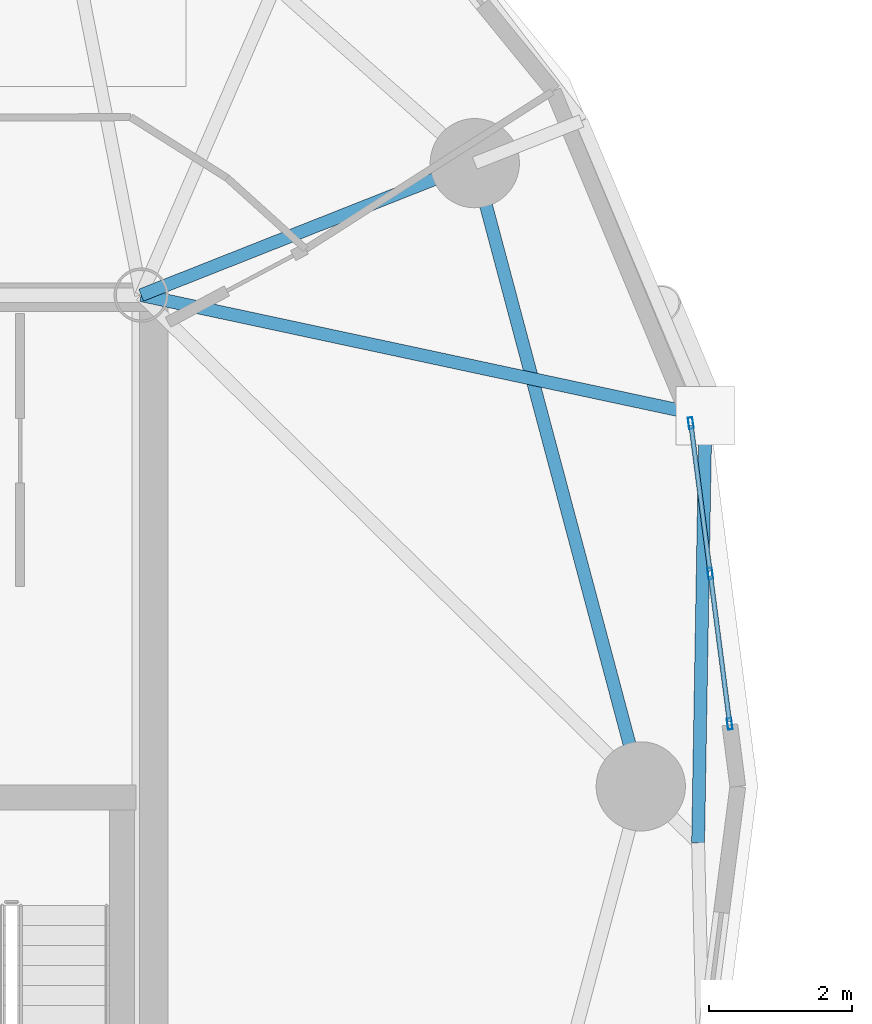
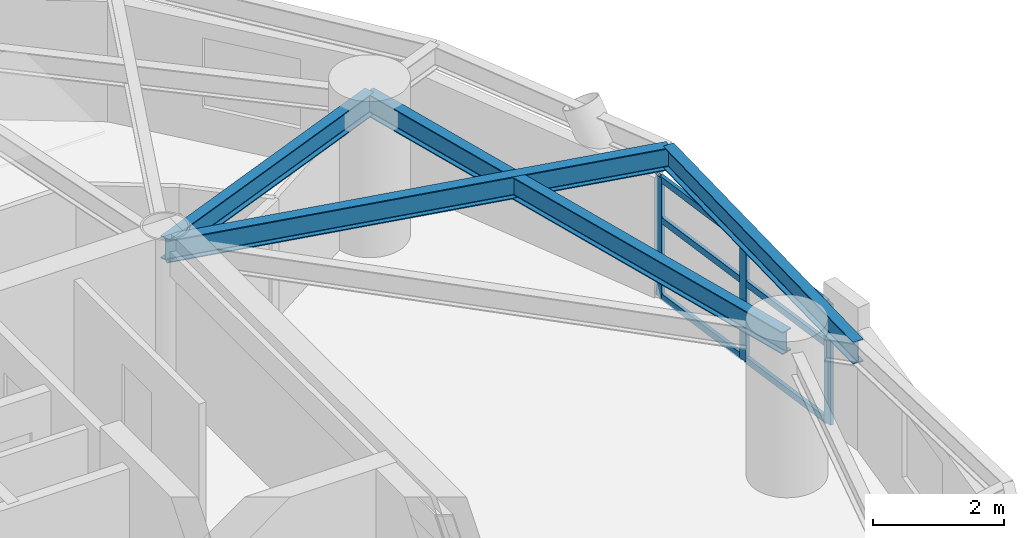
# One storey, part 3 of 17: 9 members, 4 beams, 1 element without a shape of its own.
"""IFC4 building model written with IfcOpenShell, lengths in metres."""

from ifc_helpers import new_model, si_unit, direction, frame, origin, origin_2d, place, context, subcontext, project, spatial, hollow_rectangle, i_section, extrude, material, layer, layer_set, material_profile, profile_set, type_object, element, aggregate, save


model = new_model("IFC4")

# Units and contexts
model_context = context("Model", 3, precision=1e-05, world=origin(), true_north=direction((0.0, 1.0)))
body_context = subcontext(model_context, "Body", "Model", "MODEL_VIEW")
ifc_project = project(units=[si_unit("LENGTHUNIT", "METRE"), si_unit("AREAUNIT", "SQUARE_METRE"), si_unit("VOLUMEUNIT", "CUBIC_METRE"), si_unit("PLANEANGLEUNIT", "RADIAN"), si_unit("MASSUNIT", "GRAM", prefix="KILO")], contexts=[model_context])

# Site, building, storey
site_placement = place(None, origin())
site = spatial("IfcSite", under=ifc_project, at=site_placement, CompositionType="ELEMENT")
building_placement = place(site_placement, origin())
building = spatial("IfcBuilding", under=site, at=building_placement, Name="Cununo Teusaquillo Station Towers", CompositionType="ELEMENT")
storey_placement = place(building_placement, frame((0.0, 0.0, 186.52001953125)))
storey = spatial("IfcBuildingStorey", under=building, at=storey_placement, Name="L59", CompositionType="ELEMENT", Elevation=186.52001953125)

# Beams
ifc_material_1 = material(Name="Steel ASTM A572 Grade 50", Category="steel")
ifc_material_profile_1 = material_profile(ifc_material_1, i_section(OverallWidth=0.180908203125, OverallDepth=0.4169921875, WebThickness=0.010986328125, FlangeThickness=0.018310546875, FilletRadius=0.012939453125, at=origin_2d()), Name="W16X57")
ifc_profile_set_1 = profile_set([ifc_material_profile_1], Name="Steel ASTM A572 Grade 50")
beam_type_1 = type_object("IfcBeamType", Name="BM-JOIST-1", PredefinedType="JOIST", material=ifc_profile_set_1)
beam_1_placement = place(storey_placement, frame((21.675048828125, 31.3798828125, 2.4814453125), z_axis=(0.977854548984, -0.209285644589, 0.0), x_axis=(0.209285644589, 0.977854548984, 0.0)))
element("IfcBeam", 1, at=beam_1_placement, inside=storey, type_object=beam_type_1, Name="L59 Tower A Radial Spandrel Joist V01", PredefinedType="JOIST", context=body_context, shape_type="SweptSolid", body=[
    extrude(i_section(OverallWidth=0.180908203125, OverallDepth=0.4169921875, WebThickness=0.010986328125, FlangeThickness=0.018310546875, FilletRadius=0.012939453125, at=origin_2d()), origin(), (0.0, 0.0, 1.0), 8.081787109375),
])
ifc_material_2 = material(Name="Steel ASTM A572 Grade 50", Category="steel")
ifc_material_profile_2 = material_profile(ifc_material_2, i_section(OverallWidth=0.180908203125, OverallDepth=0.4169921875, WebThickness=0.010986328125, FlangeThickness=0.018310546875, FilletRadius=0.012939453125, at=origin_2d()), Name="W16X57")
ifc_profile_set_2 = profile_set([ifc_material_profile_2], Name="Steel ASTM A572 Grade 50")
beam_type_2 = type_object("IfcBeamType", Name="BM-RAD-G2", PredefinedType="BEAM", material=ifc_profile_set_2)
beam_2_placement = place(storey_placement, frame((21.675048828125, 31.3798828125, 2.4814453125), z_axis=(0.929864104313, 0.367903176814, 0.0), x_axis=(-0.367903176814, 0.929864104313, 0.0)))
element("IfcBeam", 2, at=beam_2_placement, inside=storey, type_object=beam_type_2, Name="L59 Tower A Radial Girder 02A", PredefinedType="BEAM", context=body_context, shape_type="SweptSolid", body=[
    extrude(i_section(OverallWidth=0.180908203125, OverallDepth=0.4169921875, WebThickness=0.010986328125, FlangeThickness=0.018310546875, FilletRadius=0.012939453125, at=origin_2d()), origin(), (0.0, 0.0, 1.0), 5.02490234375),
])
ifc_material_3 = material(Name="Steel ASTM A572 Grade 50", Category="steel")
ifc_material_profile_3 = material_profile(ifc_material_3, i_section(OverallWidth=0.180908203125, OverallDepth=0.4169921875, WebThickness=0.010986328125, FlangeThickness=0.018310546875, FilletRadius=0.012939453125, at=origin_2d()), Name="W16X57")
ifc_profile_set_3 = profile_set([ifc_material_profile_3], Name="Steel ASTM A572 Grade 50")
beam_type_3 = type_object("IfcBeamType", Name="BM-RING-Z3", PredefinedType="SPANDREL", material=ifc_profile_set_3)
beam_3_placement = place(storey_placement, frame((28.672119140625, 24.5, 2.4814453125), z_axis=(-0.257363196347, 0.966314744359, 0.0), x_axis=(-0.966314744359, -0.257363196347, 0.0)))
element("IfcBeam", 3, at=beam_3_placement, inside=storey, type_object=beam_type_3, Name="L59 Tower A Structural Column Ring Girder 01", PredefinedType="SPANDREL", context=body_context, shape_type="SweptSolid", body=[
    extrude(i_section(OverallWidth=0.180908203125, OverallDepth=0.4169921875, WebThickness=0.010986328125, FlangeThickness=0.018310546875, FilletRadius=0.012939453125, at=origin_2d()), origin(), (0.0, 0.0, 1.0), 9.03271484375),
])
beam_4_placement = place(storey_placement, frame((29.474853515625, 23.710693359375, 2.4814453125), z_axis=(0.017232482627, 0.999851509747, 0.0), x_axis=(-0.999851509747, 0.017232482627, 0.0)))
element("IfcBeam", 4, at=beam_4_placement, inside=storey, type_object=beam_type_3, Name="L59 Tower A Spandrel Ring Beam 01", PredefinedType="SPANDREL", context=body_context, shape_type="SweptSolid", body=[
    extrude(i_section(OverallWidth=0.180908203125, OverallDepth=0.4169921875, WebThickness=0.010986328125, FlangeThickness=0.018310546875, FilletRadius=0.012939453125, at=origin_2d()), origin(), (0.0, 0.0, 1.0), 5.978759765625),
])

# Curtain wall, members
ifc_material_4 = material(Name="Operable acoustic tinted low-E double glazing", Category="glass")
ifc_layer = layer(ifc_material_4, 0.179931640625)
ifc_layer_set = layer_set([ifc_layer], Name="Operable acoustic tinted low-E double glazing")
curtain_wall_type = type_object("IfcCurtainWallType", Name="CW-SYS-06", PredefinedType="USERDEFINED", material=ifc_layer_set)
curtain_wall_placement = place(storey_placement, origin())
curtain_wall = element("IfcCurtainWall", 5, at=curtain_wall_placement, inside=storey, type_object=curtain_wall_type, Name="L59 Tower A Facade Curtain Wall C00", ObjectType="OPERABLE GLAZING", PredefinedType="USERDEFINED")
ifc_material_5 = material(Name="Anodised dark bronze aluminium EN AW-6063-T6", Category="aluminium")
ifc_material_profile_4 = material_profile(ifc_material_5, hollow_rectangle(XDim=0.06494140625, YDim=0.159912109375, WallThickness=0.00390625, at=origin_2d()), Name="CW-MULL-65x160")
ifc_profile_set_4 = profile_set([ifc_material_profile_4], Name="Anodised dark bronze aluminium EN AW-6063-T6")
member_type_1 = type_object("IfcMemberType", Name="CWM-160", PredefinedType="MULLION", material=ifc_profile_set_4)
member_1_placement = place(storey_placement, frame((29.372802734375, 29.588134765625, 0.0), z_axis=(0.0, 0.0, 1.0), x_axis=(0.991737283761, 0.128285462927, 0.0)))
member_1 = element("IfcMember", 6, at=member_1_placement, type_object=member_type_1, Name="CW-06 mullion 1", PredefinedType="MULLION", context=body_context, shape_type="SweptSolid", body=[
    extrude(hollow_rectangle(XDim=0.06494140625, YDim=0.159912109375, WallThickness=0.00390625, at=origin_2d()), origin(), (0.0, 0.0, 1.0), 2.244873046875),
])
member_2_placement = place(storey_placement, frame((29.645263671875, 27.481689453125, 0.0), z_axis=(0.0, 0.0, 1.0), x_axis=(0.991737283761, 0.128285462927, 0.0)))
member_2 = element("IfcMember", 7, at=member_2_placement, type_object=member_type_1, Name="CW-06 mullion 2", PredefinedType="MULLION", context=body_context, shape_type="SweptSolid", body=[
    extrude(hollow_rectangle(XDim=0.06494140625, YDim=0.159912109375, WallThickness=0.00390625, at=origin_2d()), origin(), (0.0, 0.0, 1.0), 2.244873046875),
])
member_3_placement = place(storey_placement, frame((29.917724609375, 25.375244140625, 0.0), z_axis=(0.0, 0.0, 1.0), x_axis=(0.991737283761, 0.128285462927, 0.0)))
member_3 = element("IfcMember", 8, at=member_3_placement, type_object=member_type_1, Name="CW-06 mullion 3", PredefinedType="MULLION", context=body_context, shape_type="SweptSolid", body=[
    extrude(hollow_rectangle(XDim=0.06494140625, YDim=0.159912109375, WallThickness=0.00390625, at=origin_2d()), origin(), (0.0, 0.0, 1.0), 2.244873046875),
])
ifc_material_6 = material(Name="Anodised dark bronze aluminium EN AW-6063-T6", Category="aluminium")
ifc_material_profile_5 = material_profile(ifc_material_6, hollow_rectangle(XDim=0.06494140625, YDim=0.1201171875, WallThickness=0.00390625, at=origin_2d()), Name="CW-TRAN-65x120")
ifc_profile_set_5 = profile_set([ifc_material_profile_5], Name="Anodised dark bronze aluminium EN AW-6063-T6")
member_type_2 = type_object("IfcMemberType", Name="CWT-120", PredefinedType="USERDEFINED", material=ifc_profile_set_5)
member_4_placement = place(storey_placement, frame((29.376953125, 29.555908203125, 0.032470703125), z_axis=(0.128294885484, -0.991736064867, 0.0), x_axis=(0.991736064867, 0.128294885484, 0.0)))
member_4 = element("IfcMember", 9, at=member_4_placement, type_object=member_type_2, Name="CW-06 transom 1.1", ObjectType="TRANSOM", PredefinedType="USERDEFINED", context=body_context, shape_type="SweptSolid", body=[
    extrude(hollow_rectangle(XDim=0.06494140625, YDim=0.1201171875, WallThickness=0.00390625, at=origin_2d()), origin(), (0.0, 0.0, 1.0), 2.05908203125),
])
member_5_placement = place(storey_placement, frame((29.376953125, 29.555908203125, 1.458984375), z_axis=(0.128294885484, -0.991736064867, 0.0), x_axis=(0.991736064867, 0.128294885484, 0.0)))
member_5 = element("IfcMember", 10, at=member_5_placement, type_object=member_type_2, Name="CW-06 transom 1.2", ObjectType="TRANSOM", PredefinedType="USERDEFINED", context=body_context, shape_type="SweptSolid", body=[
    extrude(hollow_rectangle(XDim=0.06494140625, YDim=0.1201171875, WallThickness=0.00390625, at=origin_2d()), origin(), (0.0, 0.0, 1.0), 2.05908203125),
])
member_6_placement = place(storey_placement, frame((29.376953125, 29.555908203125, 2.21240234375), z_axis=(0.128294885484, -0.991736064867, 0.0), x_axis=(0.991736064867, 0.128294885484, 0.0)))
member_6 = element("IfcMember", 11, at=member_6_placement, type_object=member_type_2, Name="CW-06 transom 1.3", ObjectType="TRANSOM", PredefinedType="USERDEFINED", context=body_context, shape_type="SweptSolid", body=[
    extrude(hollow_rectangle(XDim=0.06494140625, YDim=0.1201171875, WallThickness=0.00390625, at=origin_2d()), origin(), (0.0, 0.0, 1.0), 2.05908203125),
])
member_7_placement = place(storey_placement, frame((29.6494140625, 27.449462890625, 0.032470703125), z_axis=(0.128294885484, -0.991736064867, 0.0), x_axis=(0.991736064867, 0.128294885484, 0.0)))
member_7 = element("IfcMember", 12, at=member_7_placement, type_object=member_type_2, Name="CW-06 transom 2.1", ObjectType="TRANSOM", PredefinedType="USERDEFINED", context=body_context, shape_type="SweptSolid", body=[
    extrude(hollow_rectangle(XDim=0.06494140625, YDim=0.1201171875, WallThickness=0.00390625, at=origin_2d()), origin(), (0.0, 0.0, 1.0), 2.05908203125),
])
member_8_placement = place(storey_placement, frame((29.6494140625, 27.449462890625, 1.458984375), z_axis=(0.128294885484, -0.991736064867, 0.0), x_axis=(0.991736064867, 0.128294885484, 0.0)))
member_8 = element("IfcMember", 13, at=member_8_placement, type_object=member_type_2, Name="CW-06 transom 2.2", ObjectType="TRANSOM", PredefinedType="USERDEFINED", context=body_context, shape_type="SweptSolid", body=[
    extrude(hollow_rectangle(XDim=0.06494140625, YDim=0.1201171875, WallThickness=0.00390625, at=origin_2d()), origin(), (0.0, 0.0, 1.0), 2.05908203125),
])
member_9_placement = place(storey_placement, frame((29.6494140625, 27.449462890625, 2.21240234375), z_axis=(0.128294885484, -0.991736064867, 0.0), x_axis=(0.991736064867, 0.128294885484, 0.0)))
member_9 = element("IfcMember", 14, at=member_9_placement, type_object=member_type_2, Name="CW-06 transom 2.3", ObjectType="TRANSOM", PredefinedType="USERDEFINED", context=body_context, shape_type="SweptSolid", body=[
    extrude(hollow_rectangle(XDim=0.06494140625, YDim=0.1201171875, WallThickness=0.00390625, at=origin_2d()), origin(), (0.0, 0.0, 1.0), 2.05908203125),
])
aggregate(curtain_wall, [member_1, member_2, member_3, member_4, member_5, member_6, member_7, member_8, member_9])

save(model, "model.ifc")
